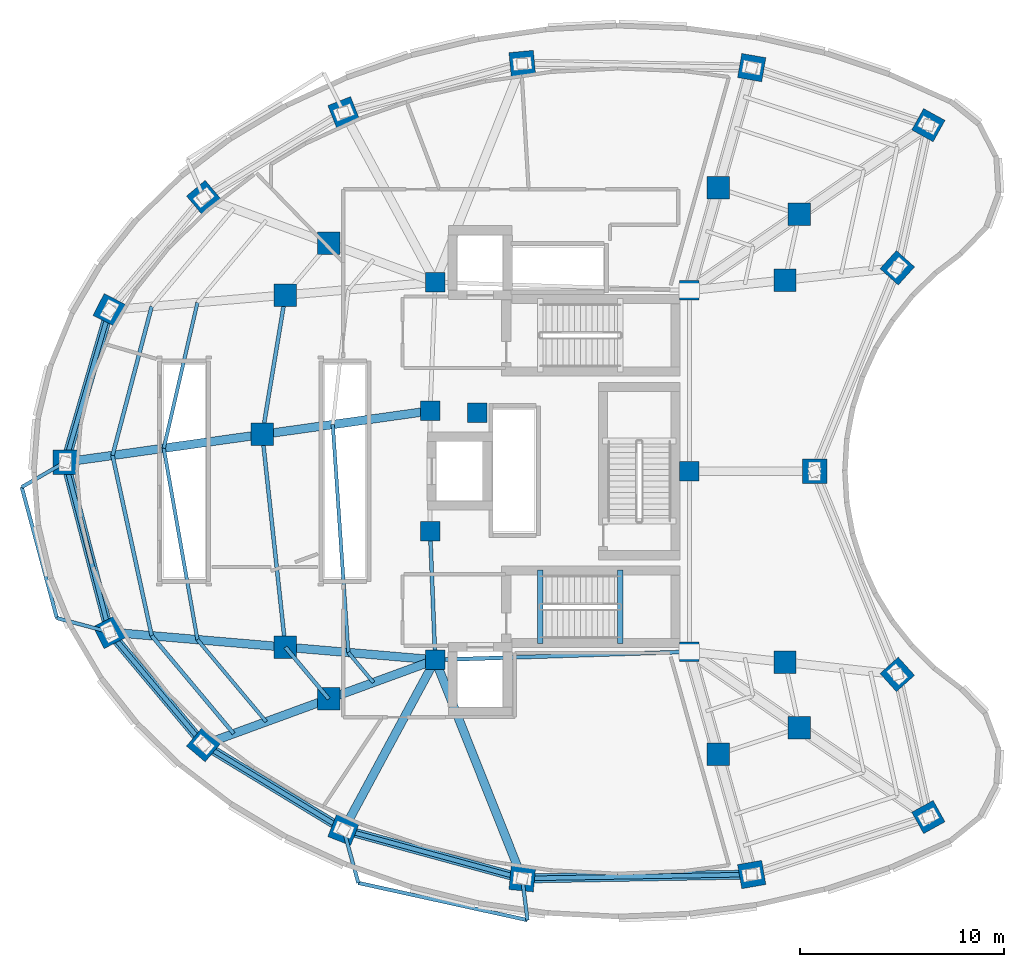
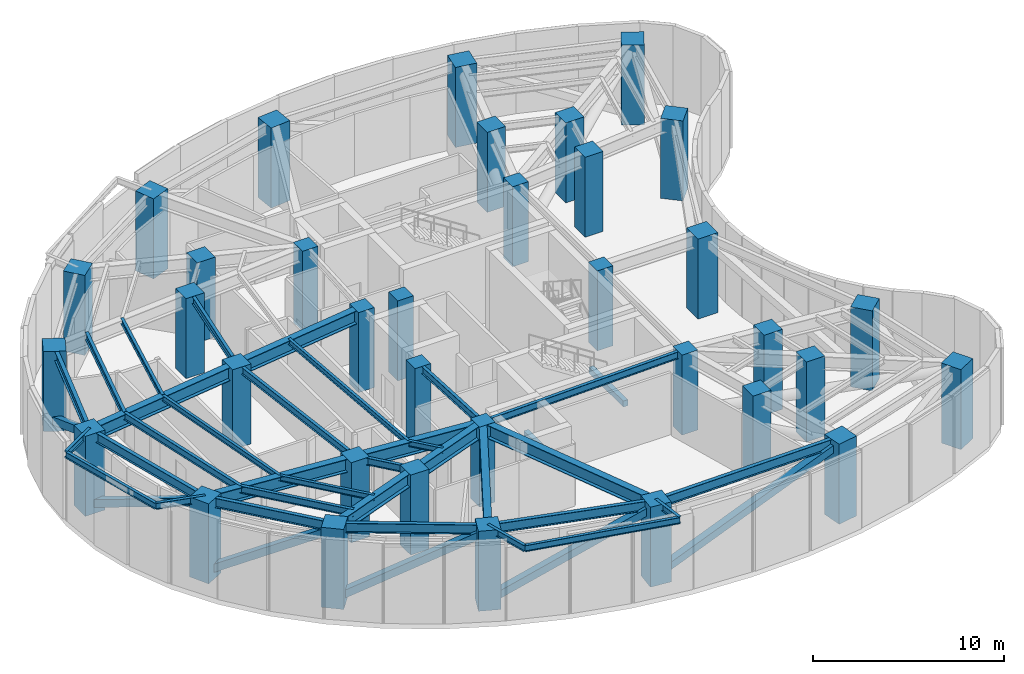
# One storey, part 1 of 10: 35 beams, 35 columns, 6 members.
"""IFC4 building model written with IfcOpenShell, lengths in metres."""

from ifc_helpers import new_model, si_unit, direction, frame, origin, origin_2d, place, context, subcontext, project, spatial, rectangle, hollow_rectangle, i_section, extrude, material, material_profile, profile_set, type_object, element, save


model = new_model("IFC4")

# Units and contexts
model_context = context("Model", 3, precision=1e-05, world=origin(), true_north=direction((0.0, 1.0)))
body_context = subcontext(model_context, "Body", "Model", "MODEL_VIEW")
ifc_project = project(units=[si_unit("LENGTHUNIT", "METRE"), si_unit("AREAUNIT", "SQUARE_METRE"), si_unit("VOLUMEUNIT", "CUBIC_METRE"), si_unit("PLANEANGLEUNIT", "RADIAN"), si_unit("MASSUNIT", "GRAM", prefix="KILO")], contexts=[model_context])

# Site, building, storey
site_placement = place(None, origin())
site = spatial("IfcSite", under=ifc_project, at=site_placement, CompositionType="ELEMENT")
building_placement = place(site_placement, origin())
building = spatial("IfcBuilding", under=site, at=building_placement, Name="Korentha Bioscience Tower", CompositionType="ELEMENT")
storey_placement = place(building_placement, frame((0.0, 0.0, 84.60009765625)))
storey = spatial("IfcBuildingStorey", under=building, at=storey_placement, Name="L19", CompositionType="ELEMENT", Elevation=84.60009765625)

# Columns
ifc_material_1 = material(Name="Concrete C65", Category="concrete")
ifc_material_profile_1 = material_profile(ifc_material_1, rectangle(XDim=0.949951171875, YDim=0.949951171875, at=origin_2d()), Name="Concrete C65")
ifc_profile_set_1 = profile_set([ifc_material_profile_1], Name="Concrete C65 (COL-CP09)")
column_type_1 = type_object("IfcColumnType", Name="Core Pilaster Column RC 950x950", PredefinedType="PILASTER", material=ifc_profile_set_1)
for number, where, z_axis, x_axis, name in (
    (1, (37.550048828125, 35.85009765625, -0.00048828125), (0.0, 0.0, 1.0), (1.0, 0.0, 0.0), "L19 Core Pilaster CP-01"),
    (2, (25.10009765625, 36.25, -0.00048828125), (0.0, 0.0, 1.0), (1.0, 0.0, 0.0), "L19 Core Pilaster CP-02"),
    (3, (24.85009765625, 29.949951171875, -0.00048828125), (0.0, 0.0, 1.0), (1.0, 0.0, 0.0), "L19 Core Pilaster CP-03"),
    (4, (27.14990234375, 29.85009765625, -0.00048828125), (0.0, 0.0, 1.0), (1.0, 0.0, 0.0), "L19 Core Pilaster CP-04"),
    (5, (24.85009765625, 24.050048828125, -0.00048828125), (0.0, 0.0, 1.0), (1.0, 0.0, 0.0), "L19 Core Pilaster CP-05"),
    (6, (25.10009765625, 17.75, -0.00048828125), (0.0, 0.0, 1.0), (1.0, 0.0, 0.0), "L19 Core Pilaster CP-06"),
    (7, (37.550048828125, 18.14990234375, -0.00048828125), (0.0, 0.0, 1.0), (1.0, 0.0, 0.0), "L19 Core Pilaster CP-07"),
    (8, (37.550048828125, 27.0, -0.00048828125), (0.0, 0.0, 1.0), (1.0, 0.0, 0.0), "L19 Core Pilaster CP-08"),
):
    element("IfcColumn", number, at=place(storey_placement, frame(where, z_axis=z_axis, x_axis=x_axis)), inside=storey, type_object=column_type_1, Name=name, PredefinedType="PILASTER", context=body_context, shape_type="SweptSolid", body=[
        extrude(rectangle(XDim=0.949951171875, YDim=0.949951171875, at=origin_2d()), origin(), (0.0, 0.0, 1.0), 5.100830078125),
    ])
ifc_material_2 = material(Name="Concrete C80", Category="concrete")
ifc_material_profile_2 = material_profile(ifc_material_2, rectangle(XDim=1.10009765625, YDim=1.10009765625, at=origin_2d()), Name="Concrete C80")
ifc_profile_set_2 = profile_set([ifc_material_profile_2], Name="Concrete C80 (COL-MR11)")
column_type_2 = type_object("IfcColumnType", Name="Mid-Ring Lab Column RC 1100x1100", PredefinedType="COLUMN", material=ifc_profile_set_2)
for number, where, z_axis, x_axis, name in (
    (9, (42.93603515625, 39.57470703125, -0.00048828125), (0.0, 0.0, 1.0), (1.0, 0.0, 0.0), "L19 Mid-Ring Column 01"),
    (10, (38.954833984375, 40.870849609375, -0.00048828125), (0.0, 0.0, 1.0), (1.0, 0.0, 0.0), "L19 Mid-Ring Column 02"),
    (11, (19.882568359375, 38.158935546875, -0.00048828125), (0.0, 0.0, 1.0), (1.0, 0.0, 0.0), "L19 Mid-Ring Column 05"),
    (12, (17.75927734375, 35.6240234375, -0.00048828125), (0.0, 0.0, 1.0), (1.0, 0.0, 0.0), "L19 Mid-Ring Column 06"),
    (13, (16.627197265625, 28.796630859375, -0.00048828125), (0.0, 0.0, 1.0), (1.0, 0.0, 0.0), "L19 Mid-Ring Column 07"),
    (14, (17.75927734375, 18.3759765625, -0.00048828125), (0.0, 0.0, 1.0), (1.0, 0.0, 0.0), "L19 Mid-Ring Column 08"),
    (15, (19.882568359375, 15.841064453125, -0.00048828125), (0.0, 0.0, 1.0), (1.0, 0.0, 0.0), "L19 Mid-Ring Column 09"),
    (16, (38.954833984375, 13.129150390625, -0.00048828125), (0.0, 0.0, 1.0), (1.0, 0.0, 0.0), "L19 Mid-Ring Column 12"),
    (17, (42.93603515625, 14.42529296875, -0.00048828125), (0.0, 0.0, 1.0), (1.0, 0.0, 0.0), "L19 Mid-Ring Column 13"),
    (18, (42.235595703125, 17.639404296875, -0.00048828125), (0.0, 0.0, 1.0), (1.0, 0.0, 0.0), "L19 Mid-Ring Column 14"),
    (19, (42.235595703125, 36.360595703125, -0.00048828125), (0.0, 0.0, 1.0), (1.0, 0.0, 0.0), "L19 Mid-Ring Column 16"),
):
    element("IfcColumn", number, at=place(storey_placement, frame(where, z_axis=z_axis, x_axis=x_axis)), inside=storey, type_object=column_type_2, Name=name, PredefinedType="COLUMN", context=body_context, shape_type="SweptSolid", body=[
        extrude(rectangle(XDim=1.10009765625, YDim=1.10009765625, at=origin_2d()), origin(), (0.0, 0.0, 1.0), 5.100830078125),
    ])
ifc_material_profile_3 = material_profile(ifc_material_2, rectangle(XDim=1.199951171875, YDim=1.199951171875, at=origin_2d()), Name="Concrete C80")
ifc_profile_set_3 = profile_set([ifc_material_profile_3], Name="Concrete C80 (COL-P12)")
column_type_3 = type_object("IfcColumnType", Name="Perimeter Column RC 1200x1200", PredefinedType="COLUMN", material=ifc_profile_set_3)
for number, where, z_axis, x_axis, name in (
    (20, (49.2587890625, 43.947021484375, -0.00048828125), (0.0, 0.0, 1.0), (-0.874535078577, 0.484962262797, 0.0), "L19 Perimeter Column 01"),
    (21, (40.604248046875, 46.764892578125, -0.00048828125), (0.0, 0.0, 1.0), (-0.984868307662, 0.173304404339, 0.0), "L19 Perimeter Column 02"),
    (22, (29.3642578125, 46.959228515625, -0.00048828125), (0.0, 0.0, 1.0), (0.995462868748, 0.095150811579, 0.0), "L19 Perimeter Column 03"),
    (23, (20.614990234375, 44.5693359375, -0.00048828125), (0.0, 0.0, 1.0), (0.930225540858, 0.366988341962, 0.0), "L19 Perimeter Column 04"),
    (24, (13.7578125, 40.400146484375, -0.00048828125), (0.0, 0.0, 1.0), (0.764246456939, 0.644924300253, 0.0), "L19 Perimeter Column 05"),
    (25, (9.141845703125, 34.889404296875, -0.00048828125), (0.0, 0.0, 1.0), (0.453057191132, 0.891481453292, 0.0), "L19 Perimeter Column 06"),
    (26, (6.97412109375, 27.4423828125, -0.00048828125), (0.0, 0.0, 1.0), (0.0, 1.0, 0.0), "L19 Perimeter Column 07"),
    (27, (9.141845703125, 19.110595703125, -0.00048828125), (0.0, 0.0, 1.0), (-0.453057191132, 0.891481453292, 0.0), "L19 Perimeter Column 08"),
    (28, (13.7578125, 13.599853515625, -0.00048828125), (0.0, 0.0, 1.0), (-0.764246456939, 0.644924300253, 0.0), "L19 Perimeter Column 09"),
    (29, (20.614990234375, 9.4306640625, -0.00048828125), (0.0, 0.0, 1.0), (-0.930225540858, 0.366988341962, 0.0), "L19 Perimeter Column 10"),
    (30, (29.3642578125, 7.040771484375, -0.00048828125), (0.0, 0.0, 1.0), (-0.995462868748, 0.095150811579, 0.0), "L19 Perimeter Column 11"),
    (31, (40.604248046875, 7.235107421875, -0.00048828125), (0.0, 0.0, 1.0), (0.984868307662, 0.173304404339, 0.0), "L19 Perimeter Column 12"),
    (32, (49.2587890625, 10.052978515625, -0.00048828125), (0.0, 0.0, 1.0), (0.874535078577, 0.484962262797, 0.0), "L19 Perimeter Column 13"),
    (33, (47.736083984375, 17.040283203125, -0.00048828125), (0.0, 0.0, 1.0), (-0.669130606359, 0.743144825477, 0.0), "L19 Perimeter Column 14"),
    (34, (43.680908203125, 27.0, -0.00048828125), (0.0, 0.0, 1.0), (0.0, 1.0, 0.0), "L19 Perimeter Column 15"),
    (35, (47.736083984375, 36.959716796875, -0.00048828125), (0.0, 0.0, 1.0), (0.669130606359, 0.743144825477, 0.0), "L19 Perimeter Column 16"),
):
    element("IfcColumn", number, at=place(storey_placement, frame(where, z_axis=z_axis, x_axis=x_axis)), inside=storey, type_object=column_type_3, Name=name, PredefinedType="COLUMN", context=body_context, shape_type="SweptSolid", body=[
        extrude(rectangle(XDim=1.199951171875, YDim=1.199951171875, at=origin_2d()), origin(), (0.0, 0.0, 1.0), 5.100830078125),
    ])

# Members
ifc_material_3 = material(Name="Steel S355", Category="steel")
ifc_material_profile_4 = material_profile(ifc_material_3, hollow_rectangle(XDim=0.449951171875, YDim=0.449951171875, WallThickness=0.02490234375, at=origin_2d()), Name="Steel S355")
ifc_profile_set_4 = profile_set([ifc_material_profile_4], Name="Steel S355 (BT-D450)")
member_type = type_object("IfcMemberType", Name="Belt-Truss Web Diagonal SHS 450x450x25", PredefinedType="BRACE", material=ifc_profile_set_4)
member_1_placement = place(storey_placement, frame((9.141845703125, 34.889404296875, 0.349853515625), z_axis=(-0.243091716533, -0.835119566326, 0.493438676324), x_axis=(0.960149694129, -0.279486251653, 0.0)))
element("IfcMember", 36, at=member_1_placement, inside=storey, type_object=member_type, Name="L19 Perimeter Belt-Truss Diagonal 06", PredefinedType="BRACE", context=body_context, shape_type="SweptSolid", body=[
    extrude(hollow_rectangle(XDim=0.449951171875, YDim=0.449951171875, WallThickness=0.02490234375, at=origin_2d()), origin(), (0.0, 0.0, 1.0), 8.917236328125),
])
member_2_placement = place(storey_placement, frame((6.97412109375, 27.4423828125, 0.349853515625), z_axis=(0.224205927175, -0.86174971018, 0.45510343794), x_axis=(0.96778119423, 0.251792692694, 0.0)))
element("IfcMember", 37, at=member_2_placement, inside=storey, type_object=member_type, Name="L19 Perimeter Belt-Truss Diagonal 07", PredefinedType="BRACE", context=body_context, shape_type="SweptSolid", body=[
    extrude(hollow_rectangle(XDim=0.449951171875, YDim=0.449951171875, WallThickness=0.02490234375, at=origin_2d()), origin(), (0.0, 0.0, 1.0), 9.66845703125),
])
member_3_placement = place(storey_placement, frame((9.141845703125, 19.110595703125, 0.349853515625), z_axis=(0.547672875335, -0.653835729733, 0.522066336921), x_axis=(0.76659864726, 0.642126556076, 0.0)))
element("IfcMember", 38, at=member_3_placement, inside=storey, type_object=member_type, Name="L19 Perimeter Belt-Truss Diagonal 08", PredefinedType="BRACE", context=body_context, shape_type="SweptSolid", body=[
    extrude(hollow_rectangle(XDim=0.449951171875, YDim=0.449951171875, WallThickness=0.02490234375, at=origin_2d()), origin(), (0.0, 0.0, 1.0), 8.42822265625),
])
member_4_placement = place(storey_placement, frame((13.7578125, 13.599853515625, 0.349853515625), z_axis=(0.749231248475, -0.455535373312, 0.480770277753), x_axis=(0.51951547649, 0.854461040474, 0.0)))
element("IfcMember", 39, at=member_4_placement, inside=storey, type_object=member_type, Name="L19 Perimeter Belt-Truss Diagonal 09", PredefinedType="BRACE", context=body_context, shape_type="SweptSolid", body=[
    extrude(hollow_rectangle(XDim=0.449951171875, YDim=0.449951171875, WallThickness=0.02490234375, at=origin_2d()), origin(), (0.0, 0.0, 1.0), 9.15234375),
])
member_5_placement = place(storey_placement, frame((20.614990234375, 9.4306640625, 0.349853515625), z_axis=(0.867913883916, -0.23707366715, 0.436487762084), x_axis=(0.263500034431, 0.964659386444, 0.0)))
element("IfcMember", 40, at=member_5_placement, inside=storey, type_object=member_type, Name="L19 Perimeter Belt-Truss Diagonal 10", PredefinedType="BRACE", context=body_context, shape_type="SweptSolid", body=[
    extrude(hollow_rectangle(XDim=0.449951171875, YDim=0.449951171875, WallThickness=0.02490234375, at=origin_2d()), origin(), (0.0, 0.0, 1.0), 10.080810546875),
])
member_6_placement = place(storey_placement, frame((29.3642578125, 7.040771484375, 0.349853515625), z_axis=(0.931068988346, 0.01609789341, 0.364487855448), x_axis=(-0.017287105523, 0.999850566826, 0.0)))
element("IfcMember", 41, at=member_6_placement, inside=storey, type_object=member_type, Name="L19 Perimeter Belt-Truss Diagonal 11", PredefinedType="BRACE", context=body_context, shape_type="SweptSolid", body=[
    extrude(hollow_rectangle(XDim=0.449951171875, YDim=0.449951171875, WallThickness=0.02490234375, at=origin_2d()), origin(), (0.0, 0.0, 1.0), 12.072021484375),
])

# Beams
ifc_material_4 = material(Name="Concrete C50", Category="concrete")
ifc_material_profile_5 = material_profile(ifc_material_4, rectangle(XDim=0.280029296875, YDim=0.3798828125, at=origin_2d()), Name="Concrete C50")
ifc_profile_set_5 = profile_set([ifc_material_profile_5], Name="Concrete C50 (ST-HB380)")
beam_type_1 = type_object("IfcBeamType", Name="Concrete Stair Header Beam RC 280x380", PredefinedType="BEAM", material=ifc_profile_set_5)
for number, where, z_axis, x_axis, name in (
    (42, (30.25, 18.550048828125, -0.190185546875), (0.0, 1.0, 0.0), (-1.0, 0.0, 0.0), "L19 ST-2 Concrete Stair Header Beam"),
    (43, (34.169921875, 18.550048828125, 2.510009765625), (0.0, 1.0, 0.0), (-1.0, 0.0, 0.0), "L19 ST-2 Half-Landing Header Beam 1"),
):
    element("IfcBeam", number, at=place(storey_placement, frame(where, z_axis=z_axis, x_axis=x_axis)), inside=storey, type_object=beam_type_1, Name=name, PredefinedType="BEAM", context=body_context, shape_type="SweptSolid", body=[
        extrude(rectangle(XDim=0.280029296875, YDim=0.3798828125, at=origin_2d()), origin(), (0.0, 0.0, 1.0), 3.599853515625),
    ])
ifc_material_profile_6 = material_profile(ifc_material_3, i_section(OverallWidth=0.18994140625, OverallDepth=0.45703125, WebThickness=0.009033203125, FlangeThickness=0.014404296875, at=origin_2d()), Name="Steel S355")
ifc_profile_set_6 = profile_set([ifc_material_profile_6], Name="Steel S355 (MB-460)")
beam_type_2 = type_object("IfcBeamType", Name="Mid-Ring Tie Girder W460x74", PredefinedType="BEAM", material=ifc_profile_set_6)
beam_1_placement = place(storey_placement, frame((17.75927734375, 35.6240234375, 4.871337890625), z_axis=(-0.163580878592, -0.986529926641, 0.0), x_axis=(0.986529926641, -0.163580878592, 0.0)))
element("IfcBeam", 44, at=beam_1_placement, inside=storey, type_object=beam_type_2, Name="L19 Mid-Ring Tie Girder 06", PredefinedType="BEAM", context=body_context, shape_type="SweptSolid", body=[
    extrude(i_section(OverallWidth=0.18994140625, OverallDepth=0.45703125, WebThickness=0.009033203125, FlangeThickness=0.014404296875, at=origin_2d()), origin(), (0.0, 0.0, 1.0), 6.920654296875),
])
beam_2_placement = place(storey_placement, frame((16.627197265625, 28.796630859375, 4.871337890625), z_axis=(0.108002632645, -0.994150607977, 0.0), x_axis=(0.994150607977, 0.108002632645, 0.0)))
element("IfcBeam", 45, at=beam_2_placement, inside=storey, type_object=beam_type_2, Name="L19 Mid-Ring Tie Girder 07", PredefinedType="BEAM", context=body_context, shape_type="SweptSolid", body=[
    extrude(i_section(OverallWidth=0.18994140625, OverallDepth=0.45703125, WebThickness=0.009033203125, FlangeThickness=0.014404296875, at=origin_2d()), origin(), (0.0, 0.0, 1.0), 10.48193359375),
])
beam_3_placement = place(storey_placement, frame((17.75927734375, 18.3759765625, 4.871337890625), z_axis=(0.642121371708, -0.766602989817, 0.0), x_axis=(0.766602989817, 0.642121371708, 0.0)))
element("IfcBeam", 46, at=beam_3_placement, inside=storey, type_object=beam_type_2, Name="L19 Mid-Ring Tie Girder 08", PredefinedType="BEAM", context=body_context, shape_type="SweptSolid", body=[
    extrude(i_section(OverallWidth=0.18994140625, OverallDepth=0.45703125, WebThickness=0.009033203125, FlangeThickness=0.014404296875, at=origin_2d()), origin(), (0.0, 0.0, 1.0), 3.306640625),
])
beam_4_placement = place(storey_placement, frame((24.85009765625, 24.050048828125, 4.871337890625), z_axis=(0.039651025576, -0.999213588864, 0.0), x_axis=(0.999213588864, 0.039651025576, 0.0)))
element("IfcBeam", 47, at=beam_4_placement, inside=storey, type_object=beam_type_2, Name="L19 Core Ring Tie Girder 04", PredefinedType="BEAM", context=body_context, shape_type="SweptSolid", body=[
    extrude(i_section(OverallWidth=0.18994140625, OverallDepth=0.45703125, WebThickness=0.009033203125, FlangeThickness=0.014404296875, at=origin_2d()), origin(), (0.0, 0.0, 1.0), 6.304931640625),
])
beam_5_placement = place(storey_placement, frame((25.10009765625, 17.75, 4.871337890625), z_axis=(0.999484526071, 0.032104238723, 0.0), x_axis=(-0.032104238723, 0.999484526071, 0.0)))
element("IfcBeam", 48, at=beam_5_placement, inside=storey, type_object=beam_type_2, Name="L19 Core Ring Tie Girder 05", PredefinedType="BEAM", context=body_context, shape_type="SweptSolid", body=[
    extrude(i_section(OverallWidth=0.18994140625, OverallDepth=0.45703125, WebThickness=0.009033203125, FlangeThickness=0.014404296875, at=origin_2d()), origin(), (0.0, 0.0, 1.0), 12.456298828125),
])
ifc_material_profile_7 = material_profile(ifc_material_3, i_section(OverallWidth=0.22802734375, OverallDepth=0.60791015625, WebThickness=0.01123046875, FlangeThickness=0.017333984375, at=origin_2d()), Name="Steel S355")
ifc_profile_set_7 = profile_set([ifc_material_profile_7], Name="Steel S355 (SB-610)")
beam_type_3 = type_object("IfcBeamType", Name="Perimeter Ring Spandrel Girder W610x113", PredefinedType="SPANDREL", material=ifc_profile_set_7)
beam_6_placement = place(storey_placement, frame((9.141845703125, 34.889404296875, 4.7958984375), z_axis=(-0.279486251653, -0.960149694129, 0.0), x_axis=(0.960149694129, -0.279486251653, 0.0)))
element("IfcBeam", 49, at=beam_6_placement, inside=storey, type_object=beam_type_3, Name="L19 Perimeter Spandrel Girder 06", PredefinedType="SPANDREL", context=body_context, shape_type="SweptSolid", body=[
    extrude(i_section(OverallWidth=0.22802734375, OverallDepth=0.60791015625, WebThickness=0.01123046875, FlangeThickness=0.017333984375, at=origin_2d()), origin(), (0.0, 0.0, 1.0), 7.756103515625),
])
beam_7_placement = place(storey_placement, frame((6.97412109375, 27.4423828125, 4.7958984375), z_axis=(0.251792692694, -0.96778119423, 0.0), x_axis=(0.96778119423, 0.251792692694, 0.0)))
element("IfcBeam", 50, at=beam_7_placement, inside=storey, type_object=beam_type_3, Name="L19 Perimeter Spandrel Girder 07", PredefinedType="SPANDREL", context=body_context, shape_type="SweptSolid", body=[
    extrude(i_section(OverallWidth=0.22802734375, OverallDepth=0.60791015625, WebThickness=0.01123046875, FlangeThickness=0.017333984375, at=origin_2d()), origin(), (0.0, 0.0, 1.0), 8.609130859375),
])
beam_8_placement = place(storey_placement, frame((9.141845703125, 19.110595703125, 4.7958984375), z_axis=(0.642126556076, -0.76659864726, 0.0), x_axis=(0.76659864726, 0.642126556076, 0.0)))
element("IfcBeam", 51, at=beam_8_placement, inside=storey, type_object=beam_type_3, Name="L19 Perimeter Spandrel Girder 08", PredefinedType="SPANDREL", context=body_context, shape_type="SweptSolid", body=[
    extrude(i_section(OverallWidth=0.22802734375, OverallDepth=0.60791015625, WebThickness=0.01123046875, FlangeThickness=0.017333984375, at=origin_2d()), origin(), (0.0, 0.0, 1.0), 7.1884765625),
])
beam_9_placement = place(storey_placement, frame((13.7578125, 13.599853515625, 4.7958984375), z_axis=(0.854461040474, -0.51951547649, 0.0), x_axis=(0.51951547649, 0.854461040474, 0.0)))
element("IfcBeam", 52, at=beam_9_placement, inside=storey, type_object=beam_type_3, Name="L19 Perimeter Spandrel Girder 09", PredefinedType="SPANDREL", context=body_context, shape_type="SweptSolid", body=[
    extrude(i_section(OverallWidth=0.22802734375, OverallDepth=0.60791015625, WebThickness=0.01123046875, FlangeThickness=0.017333984375, at=origin_2d()), origin(), (0.0, 0.0, 1.0), 8.025146484375),
])
beam_10_placement = place(storey_placement, frame((20.614990234375, 9.4306640625, 4.7958984375), z_axis=(0.964659386444, -0.263500034431, 0.0), x_axis=(0.263500034431, 0.964659386444, 0.0)))
element("IfcBeam", 53, at=beam_10_placement, inside=storey, type_object=beam_type_3, Name="L19 Perimeter Spandrel Girder 10", PredefinedType="SPANDREL", context=body_context, shape_type="SweptSolid", body=[
    extrude(i_section(OverallWidth=0.22802734375, OverallDepth=0.60791015625, WebThickness=0.01123046875, FlangeThickness=0.017333984375, at=origin_2d()), origin(), (0.0, 0.0, 1.0), 9.06982421875),
])
beam_11_placement = place(storey_placement, frame((29.3642578125, 7.040771484375, 4.7958984375), z_axis=(0.999850566826, 0.017287105523, 0.0), x_axis=(-0.017287105523, 0.999850566826, 0.0)))
element("IfcBeam", 54, at=beam_11_placement, inside=storey, type_object=beam_type_3, Name="L19 Perimeter Spandrel Girder 11", PredefinedType="SPANDREL", context=body_context, shape_type="SweptSolid", body=[
    extrude(i_section(OverallWidth=0.22802734375, OverallDepth=0.60791015625, WebThickness=0.01123046875, FlangeThickness=0.017333984375, at=origin_2d()), origin(), (0.0, 0.0, 1.0), 11.24169921875),
])
ifc_material_profile_8 = material_profile(ifc_material_3, i_section(OverallWidth=0.419921875, OverallDepth=0.85009765625, WebThickness=0.01806640625, FlangeThickness=0.031982421875, at=origin_2d()), Name="Steel S355")
ifc_profile_set_8 = profile_set([ifc_material_profile_8], Name="Steel S355 (MB-850)")
beam_type_4 = type_object("IfcBeamType", Name="Plant Heavy Girder CVS 850x315", PredefinedType="BEAM", material=ifc_profile_set_8)
beam_12_placement = place(storey_placement, frame((24.85009765625, 29.949951171875, 4.6748046875), z_axis=(-0.990306752817, -0.13889757134, 0.0), x_axis=(0.13889757134, -0.990306752817, 0.0)))
element("IfcBeam", 55, at=beam_12_placement, inside=storey, type_object=beam_type_4, Name="L19 Inner Radial Girder 07", PredefinedType="BEAM", context=body_context, shape_type="SweptSolid", body=[
    extrude(i_section(OverallWidth=0.419921875, OverallDepth=0.85009765625, WebThickness=0.01806640625, FlangeThickness=0.031982421875, at=origin_2d()), origin(), (0.0, 0.0, 1.0), 8.303466796875),
])
beam_13_placement = place(storey_placement, frame((16.627197265625, 28.796630859375, 4.6748046875), z_axis=(-0.99030201931, -0.138931315944, 0.0), x_axis=(0.138931315944, -0.99030201931, 0.0)))
element("IfcBeam", 56, at=beam_13_placement, inside=storey, type_object=beam_type_4, Name="L19 Outer Radial Girder 07", PredefinedType="BEAM", context=body_context, shape_type="SweptSolid", body=[
    extrude(i_section(OverallWidth=0.419921875, OverallDepth=0.85009765625, WebThickness=0.01806640625, FlangeThickness=0.031982421875, at=origin_2d()), origin(), (0.0, 0.0, 1.0), 9.74755859375),
])
beam_14_placement = place(storey_placement, frame((25.10009765625, 17.75, 4.6748046875), z_axis=(-0.996383934197, 0.084965026183, 0.0), x_axis=(-0.084965026183, -0.996383934197, 0.0)))
element("IfcBeam", 57, at=beam_14_placement, inside=storey, type_object=beam_type_4, Name="L19 Inner Radial Girder 08", PredefinedType="BEAM", context=body_context, shape_type="SweptSolid", body=[
    extrude(i_section(OverallWidth=0.419921875, OverallDepth=0.85009765625, WebThickness=0.01806640625, FlangeThickness=0.031982421875, at=origin_2d()), origin(), (0.0, 0.0, 1.0), 7.367431640625),
])
beam_15_placement = place(storey_placement, frame((17.75927734375, 18.3759765625, 4.6748046875), z_axis=(-0.996386071548, 0.084939957767, 0.0), x_axis=(-0.084939957767, -0.996386071548, 0.0)))
element("IfcBeam", 58, at=beam_15_placement, inside=storey, type_object=beam_type_4, Name="L19 Outer Radial Girder 08", PredefinedType="BEAM", context=body_context, shape_type="SweptSolid", body=[
    extrude(i_section(OverallWidth=0.419921875, OverallDepth=0.85009765625, WebThickness=0.01806640625, FlangeThickness=0.031982421875, at=origin_2d()), origin(), (0.0, 0.0, 1.0), 8.648681640625),
])
beam_16_placement = place(storey_placement, frame((25.10009765625, 17.75, 4.6748046875), z_axis=(-0.939118010396, -0.343594765022, 0.0), x_axis=(0.343594765022, -0.939118010396, 0.0)))
element("IfcBeam", 59, at=beam_16_placement, inside=storey, type_object=beam_type_4, Name="L19 Inner Radial Girder 09", PredefinedType="BEAM", context=body_context, shape_type="SweptSolid", body=[
    extrude(i_section(OverallWidth=0.419921875, OverallDepth=0.85009765625, WebThickness=0.01806640625, FlangeThickness=0.031982421875, at=origin_2d()), origin(), (0.0, 0.0, 1.0), 5.5556640625),
])
beam_17_placement = place(storey_placement, frame((19.882568359375, 15.841064453125, 4.6748046875), z_axis=(-0.939100755225, -0.343641923425, 0.0), x_axis=(0.343641923425, -0.939100755225, 0.0)))
element("IfcBeam", 60, at=beam_17_placement, inside=storey, type_object=beam_type_4, Name="L19 Outer Radial Girder 09", PredefinedType="BEAM", context=body_context, shape_type="SweptSolid", body=[
    extrude(i_section(OverallWidth=0.419921875, OverallDepth=0.85009765625, WebThickness=0.01806640625, FlangeThickness=0.031982421875, at=origin_2d()), origin(), (0.0, 0.0, 1.0), 6.52197265625),
])
beam_18_placement = place(storey_placement, frame((25.10009765625, 17.75, 4.6748046875), z_axis=(-0.474548018732, -0.880229616587, 0.0), x_axis=(0.880229616587, -0.474548018732, 0.0)))
element("IfcBeam", 61, at=beam_18_placement, inside=storey, type_object=beam_type_4, Name="L19 Radial Girder 10", PredefinedType="BEAM", context=body_context, shape_type="SweptSolid", body=[
    extrude(i_section(OverallWidth=0.419921875, OverallDepth=0.85009765625, WebThickness=0.01806640625, FlangeThickness=0.031982421875, at=origin_2d()), origin(), (0.0, 0.0, 1.0), 9.451416015625),
])
beam_19_placement = place(storey_placement, frame((25.10009765625, 17.75, 4.6748046875), z_axis=(0.369929528493, -0.929059817207, 0.0), x_axis=(0.929059817207, 0.369929528493, 0.0)))
element("IfcBeam", 62, at=beam_19_placement, inside=storey, type_object=beam_type_4, Name="L19 Radial Girder 11", PredefinedType="BEAM", context=body_context, shape_type="SweptSolid", body=[
    extrude(i_section(OverallWidth=0.419921875, OverallDepth=0.85009765625, WebThickness=0.01806640625, FlangeThickness=0.031982421875, at=origin_2d()), origin(), (0.0, 0.0, 1.0), 11.52685546875),
])
ifc_material_profile_9 = material_profile(ifc_material_3, i_section(OverallWidth=0.18994140625, OverallDepth=0.45703125, WebThickness=0.009033203125, FlangeThickness=0.014404296875, at=origin_2d()), Name="Steel S355")
ifc_profile_set_9 = profile_set([ifc_material_profile_9], Name="Steel S355 (RB-460)")
beam_type_5 = type_object("IfcBeamType", Name="Radial Laboratory Beam W460x74", PredefinedType="BEAM", material=ifc_profile_set_9)
beam_20_placement = place(storey_placement, frame((11.2099609375, 35.065673828125, 4.871337890625), z_axis=(-0.254294231014, -0.967126901742, 0.0), x_axis=(0.967126901742, -0.254294231014, 0.0)))
element("IfcBeam", 63, at=beam_20_placement, inside=storey, type_object=beam_type_5, Name="L19 Secondary Floor Beam JSTO-06", PredefinedType="BEAM", context=body_context, shape_type="SweptSolid", body=[
    extrude(i_section(OverallWidth=0.18994140625, OverallDepth=0.45703125, WebThickness=0.009033203125, FlangeThickness=0.014404296875, at=origin_2d()), origin(), (0.0, 0.0, 1.0), 7.546142578125),
])
beam_21_placement = place(storey_placement, frame((9.291015625, 27.767578125, 4.871337890625), z_axis=(0.212289478944, -0.977206824132, 0.0), x_axis=(0.977206824132, 0.212289478944, 0.0)))
element("IfcBeam", 64, at=beam_21_placement, inside=storey, type_object=beam_type_5, Name="L19 Secondary Floor Beam JSTO-07", PredefinedType="BEAM", context=body_context, shape_type="SweptSolid", body=[
    extrude(i_section(OverallWidth=0.18994140625, OverallDepth=0.45703125, WebThickness=0.009033203125, FlangeThickness=0.014404296875, at=origin_2d()), origin(), (0.0, 0.0, 1.0), 9.039306640625),
])
beam_22_placement = place(storey_placement, frame((11.2099609375, 18.934326171875, 4.871337890625), z_axis=(0.642128156066, -0.766597307057, 0.0), x_axis=(0.766597307057, 0.642128156066, 0.0)))
element("IfcBeam", 65, at=beam_22_placement, inside=storey, type_object=beam_type_5, Name="L19 Secondary Floor Beam JSTO-08", PredefinedType="BEAM", context=body_context, shape_type="SweptSolid", body=[
    extrude(i_section(OverallWidth=0.18994140625, OverallDepth=0.45703125, WebThickness=0.009033203125, FlangeThickness=0.014404296875, at=origin_2d()), origin(), (0.0, 0.0, 1.0), 6.257080078125),
])
ifc_material_profile_10 = material_profile(ifc_material_3, i_section(OverallWidth=0.1708984375, OverallDepth=0.35498046875, WebThickness=0.007080078125, FlangeThickness=0.01171875, at=origin_2d()), Name="Steel S355")
ifc_profile_set_10 = profile_set([ifc_material_profile_10], Name="Steel S355 (JB-360)")
beam_type_6 = type_object("IfcBeamType", Name="Secondary Laboratory Joist W360x51", PredefinedType="JOIST", material=ifc_profile_set_10)
beam_23_placement = place(storey_placement, frame((13.450439453125, 35.256591796875, 4.92236328125), z_axis=(-0.225236780605, -0.974304055551, 0.0), x_axis=(0.974304055551, -0.225236780605, 0.0)))
element("IfcBeam", 66, at=beam_23_placement, inside=storey, type_object=beam_type_6, Name="L19 Secondary Floor Beam JST-06", PredefinedType="JOIST", context=body_context, shape_type="SweptSolid", body=[
    extrude(i_section(OverallWidth=0.1708984375, OverallDepth=0.35498046875, WebThickness=0.007080078125, FlangeThickness=0.01171875, at=origin_2d()), origin(), (0.0, 0.0, 1.0), 7.3251953125),
])
beam_24_placement = place(storey_placement, frame((11.800537109375, 28.11962890625, 4.92236328125), z_axis=(0.173304009699, -0.984868377105, 0.0), x_axis=(0.984868377105, 0.173304009699, 0.0)))
element("IfcBeam", 67, at=beam_24_placement, inside=storey, type_object=beam_type_6, Name="L19 Secondary Floor Beam JST-07", PredefinedType="JOIST", context=body_context, shape_type="SweptSolid", body=[
    extrude(i_section(OverallWidth=0.1708984375, OverallDepth=0.35498046875, WebThickness=0.007080078125, FlangeThickness=0.01171875, at=origin_2d()), origin(), (0.0, 0.0, 1.0), 9.520263671875),
])
beam_25_placement = place(storey_placement, frame((20.080810546875, 29.281005859375, 4.92236328125), z_axis=(0.068025861704, -0.997683558118, 0.0), x_axis=(0.997683558118, 0.068025861704, 0.0)))
element("IfcBeam", 68, at=beam_25_placement, inside=storey, type_object=beam_type_6, Name="L19 Inner Bay Joist 07", PredefinedType="JOIST", context=body_context, shape_type="SweptSolid", body=[
    extrude(i_section(OverallWidth=0.1708984375, OverallDepth=0.35498046875, WebThickness=0.007080078125, FlangeThickness=0.01171875, at=origin_2d()), origin(), (0.0, 0.0, 1.0), 11.19384765625),
])
beam_26_placement = place(storey_placement, frame((13.450439453125, 18.743408203125, 4.92236328125), z_axis=(0.642140812018, -0.76658670582, 0.0), x_axis=(0.76658670582, 0.642140812018, 0.0)))
element("IfcBeam", 69, at=beam_26_placement, inside=storey, type_object=beam_type_6, Name="L19 Secondary Floor Beam JST-08", PredefinedType="JOIST", context=body_context, shape_type="SweptSolid", body=[
    extrude(i_section(OverallWidth=0.1708984375, OverallDepth=0.35498046875, WebThickness=0.007080078125, FlangeThickness=0.01171875, at=origin_2d()), origin(), (0.0, 0.0, 1.0), 5.247802734375),
])
beam_27_placement = place(storey_placement, frame((20.84228515625, 18.113037109375, 4.92236328125), z_axis=(0.64218549873, -0.766549271229, 0.0), x_axis=(0.766549271229, 0.64218549873, 0.0)))
element("IfcBeam", 70, at=beam_27_placement, inside=storey, type_object=beam_type_6, Name="L19 Inner Bay Joist 08", PredefinedType="JOIST", context=body_context, shape_type="SweptSolid", body=[
    extrude(i_section(OverallWidth=0.1708984375, OverallDepth=0.35498046875, WebThickness=0.007080078125, FlangeThickness=0.01171875, at=origin_2d()), origin(), (0.0, 0.0, 1.0), 1.91796875),
])
ifc_material_profile_11 = material_profile(ifc_material_3, i_section(OverallWidth=0.177978515625, OverallDepth=0.406982421875, WebThickness=0.0078125, FlangeThickness=0.0126953125, at=origin_2d()), Name="Steel S355")
ifc_profile_set_11 = profile_set([ifc_material_profile_11], Name="Steel S355 (CB-410)")
beam_type_7 = type_object("IfcBeamType", Name="Sun-Ledge Cantilever Beam W410x60", PredefinedType="BEAM", material=ifc_profile_set_11)
beam_28_placement = place(storey_placement, frame((6.97412109375, 27.4423828125, 4.8984375), z_axis=(-0.866735655447, -0.498767785224, 0.0), x_axis=(0.498767785224, -0.866735655447, 0.0)))
element("IfcBeam", 71, at=beam_28_placement, inside=storey, type_object=beam_type_7, Name="L19 Balcony Cantilever Bracket A-L20-02", PredefinedType="BEAM", context=body_context, shape_type="SweptSolid", body=[
    extrude(i_section(OverallWidth=0.177978515625, OverallDepth=0.406982421875, WebThickness=0.0078125, FlangeThickness=0.0126953125, at=origin_2d()), origin(), (0.0, 0.0, 1.0), 2.458251953125),
])
beam_29_placement = place(storey_placement, frame((9.141845703125, 19.110595703125, 4.8984375), z_axis=(-0.966099523327, 0.258169926653, 0.0), x_axis=(-0.258169926653, -0.966099523327, 0.0)))
element("IfcBeam", 72, at=beam_29_placement, inside=storey, type_object=beam_type_7, Name="L19 Balcony Cantilever Bracket B-L20-02", PredefinedType="BEAM", context=body_context, shape_type="SweptSolid", body=[
    extrude(i_section(OverallWidth=0.177978515625, OverallDepth=0.406982421875, WebThickness=0.0078125, FlangeThickness=0.0126953125, at=origin_2d()), origin(), (0.0, 0.0, 1.0), 2.665771484375),
])
beam_30_placement = place(storey_placement, frame((4.843505859375, 26.21630859375, 4.8984375), z_axis=(0.259288233209, -0.965799985566, 0.0), x_axis=(0.965799985566, 0.259288233209, 0.0)))
element("IfcBeam", 73, at=beam_30_placement, inside=storey, type_object=beam_type_7, Name="L19 Balcony Edge Trimmer Beam L20-02", PredefinedType="BEAM", context=body_context, shape_type="SweptSolid", body=[
    extrude(i_section(OverallWidth=0.177978515625, OverallDepth=0.406982421875, WebThickness=0.0078125, FlangeThickness=0.0126953125, at=origin_2d()), origin(), (0.0, 0.0, 1.0), 6.644775390625),
])
beam_31_placement = place(storey_placement, frame((20.614990234375, 9.4306640625, 4.8984375), z_axis=(0.26487511254, -0.964282725531, 0.0), x_axis=(0.964282725531, 0.26487511254, 0.0)))
element("IfcBeam", 74, at=beam_31_placement, inside=storey, type_object=beam_type_7, Name="L19 Balcony Cantilever Bracket A-L20-03", PredefinedType="BEAM", context=body_context, shape_type="SweptSolid", body=[
    extrude(i_section(OverallWidth=0.177978515625, OverallDepth=0.406982421875, WebThickness=0.0078125, FlangeThickness=0.0126953125, at=origin_2d()), origin(), (0.0, 0.0, 1.0), 2.702392578125),
])
beam_32_placement = place(storey_placement, frame((29.3642578125, 7.040771484375, 4.8984375), z_axis=(0.124078617268, -0.992272390393, 0.0), x_axis=(0.992272390393, 0.124078617268, 0.0)))
element("IfcBeam", 75, at=beam_32_placement, inside=storey, type_object=beam_type_7, Name="L19 Balcony Cantilever Bracket B-L20-03", PredefinedType="BEAM", context=body_context, shape_type="SweptSolid", body=[
    extrude(i_section(OverallWidth=0.177978515625, OverallDepth=0.406982421875, WebThickness=0.0078125, FlangeThickness=0.0126953125, at=origin_2d()), origin(), (0.0, 0.0, 1.0), 2.05419921875),
])
beam_33_placement = place(storey_placement, frame((21.330810546875, 6.82470703125, 4.8984375), z_axis=(0.976673314546, -0.21473061415, 0.0), x_axis=(0.21473061415, 0.976673314546, 0.0)))
element("IfcBeam", 76, at=beam_33_placement, inside=storey, type_object=beam_type_7, Name="L19 Balcony Edge Trimmer Beam L20-03", PredefinedType="BEAM", context=body_context, shape_type="SweptSolid", body=[
    extrude(i_section(OverallWidth=0.177978515625, OverallDepth=0.406982421875, WebThickness=0.0078125, FlangeThickness=0.0126953125, at=origin_2d()), origin(), (0.0, 0.0, 1.0), 8.486328125),
])

save(model, "model.ifc")
